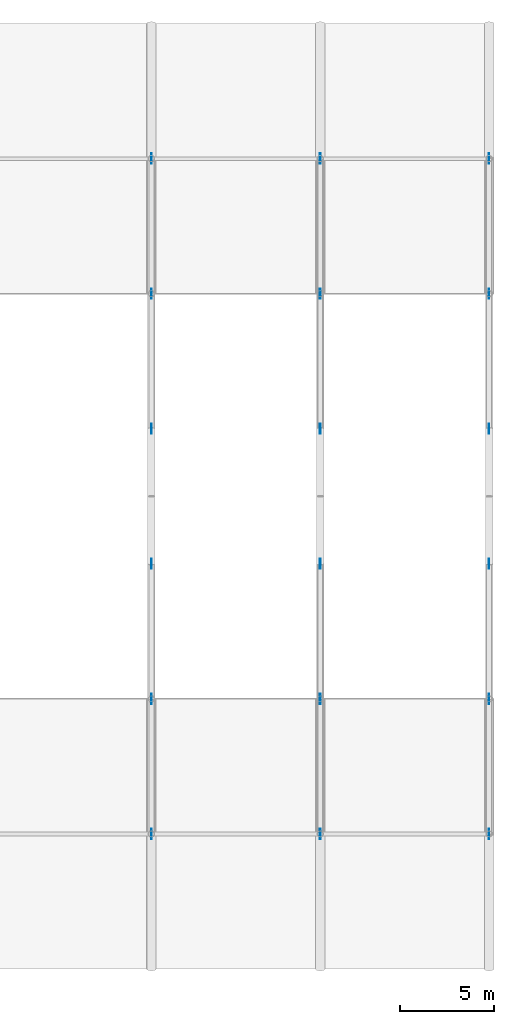
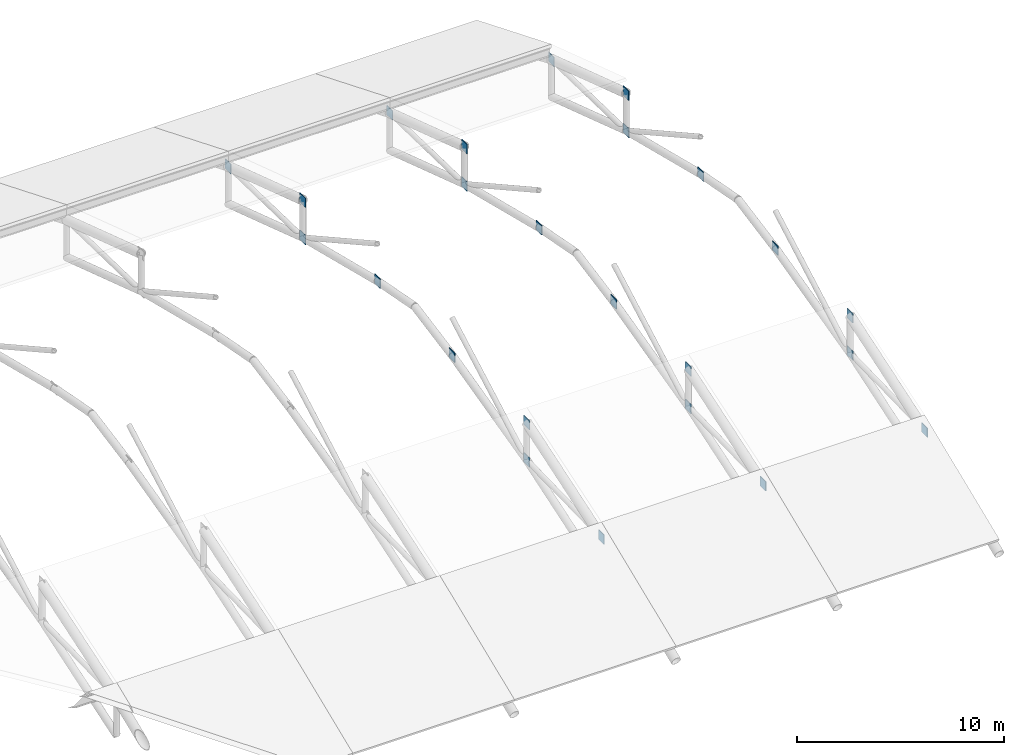
# One storey, part 64 of 78: 24 plates.
"""IFC4 building model written with IfcOpenShell, lengths in metres."""

import ifcopenshell
import ifcopenshell.guid

model = None  # the IFC model being written
_history = None  # IfcOwnerHistory: only IFC2X3 demands one
_inside = {}  # id of a spatial element -> (the spatial element, [elements in it])
_under = {}  # id of a project, library or spatial element -> (it, [spatial elements below it])
_declared = {}  # id of a project -> (the project, [libraries it declares])
_typed = {}  # id of a type object -> (the type object, [elements of that type])
_made_of = {}  # id of a material, layer set ... -> (it, [elements and type objects made of it])


def new_model(schema):
    """Start an empty IFC model of exactly this schema.

    Asked for "IFC4X3", IfcOpenShell would pick the latest addendum, in which some entities
    have other attributes; the version numbers below select the first issue.
    IFC2X3 requires an IfcOwnerHistory on every rooted entity: one is made here for all.
    """
    global model, _history
    if schema == "IFC4X3":
        model = ifcopenshell.file(schema_version=(4, 3, 0, 0))
    else:
        model = ifcopenshell.file(schema=schema)
    _inside.clear()
    _under.clear()
    _declared.clear()
    _typed.clear()
    _made_of.clear()
    _history = None
    if model.schema == "IFC2X3":
        org = make("IfcOrganization", Name="unknown")
        user = make(
            "IfcPersonAndOrganization",
            ThePerson=make("IfcPerson", FamilyName="unknown"),
            TheOrganization=org,
        )
        app = make(
            "IfcApplication",
            ApplicationDeveloper=org,
            Version="unknown",
            ApplicationFullName="unknown",
            ApplicationIdentifier="unknown",
        )
        _history = make(
            "IfcOwnerHistory",
            OwningUser=user,
            OwningApplication=app,
            ChangeAction="ADDED",
            CreationDate=0,
        )
    return model


def make(cls, **values):
    """One entity of the class cls with the attributes given. An attribute that is None is left unset."""
    return model.create_entity(
        cls, **{name: value for name, value in values.items() if value is not None}
    )


def rooted(cls, **values):
    """An entity with a GlobalId (a new one), such as an element, a storey or a relation."""
    return make(cls, GlobalId=ifcopenshell.guid.new(), OwnerHistory=_history, **values)


def si_unit(unit_type, name, prefix=None):
    """IfcSIUnit, for example si_unit("LENGTHUNIT", "METRE", prefix="MILLI")."""
    return make("IfcSIUnit", UnitType=unit_type, Prefix=prefix, Name=name)


def assignment(units):
    """IfcUnitAssignment: the units of a project."""
    return None if units is None else make("IfcUnitAssignment", Units=units)


def point(xyz):
    """IfcCartesianPoint."""
    return None if xyz is None else make("IfcCartesianPoint", Coordinates=xyz)


def direction(xyz):
    """IfcDirection."""
    return None if xyz is None else make("IfcDirection", DirectionRatios=xyz)


def frame(location, z_axis=None, x_axis=None):
    """IfcAxis2Placement3D, a coordinate frame: its origin and axes. An axis left out is left unset."""
    return make(
        "IfcAxis2Placement3D",
        Location=point(location),
        Axis=direction(z_axis),
        RefDirection=direction(x_axis),
    )


def frame_2d(location, x_axis=None):
    """IfcAxis2Placement2D, a coordinate frame in the plane: its origin and x axis."""
    return make(
        "IfcAxis2Placement2D", Location=point(location), RefDirection=direction(x_axis)
    )


def origin():
    """The frame at (0, 0, 0) with its axes left unset."""
    return frame((0.0, 0.0, 0.0))


def origin_2d():
    """The frame at (0, 0) in the plane with its x axis left unset."""
    return frame_2d((0.0, 0.0))


def place(relative_to, where):
    """IfcLocalPlacement: puts the frame where relative to a parent placement (None: the world)."""
    return make(
        "IfcLocalPlacement", PlacementRelTo=relative_to, RelativePlacement=where
    )


def context(
    kind, dimensions, precision=None, world=None, true_north=None, identifier=None
):
    """IfcGeometricRepresentationContext, for example the 3D "Model" context."""
    return make(
        "IfcGeometricRepresentationContext",
        ContextIdentifier=identifier,
        ContextType=kind,
        CoordinateSpaceDimension=dimensions,
        Precision=precision,
        WorldCoordinateSystem=world,
        TrueNorth=true_north,
    )


def subcontext(parent, identifier, kind, view, scale=None):
    """IfcGeometricRepresentationSubContext, for example "Body" below "Model"."""
    return make(
        "IfcGeometricRepresentationSubContext",
        ContextIdentifier=identifier,
        ContextType=kind,
        ParentContext=parent,
        TargetScale=scale,
        TargetView=view,
    )


def project(units=None, contexts=None):
    """IfcProject with its units and contexts."""
    return rooted(
        "IfcProject",
        Name="project",
        RepresentationContexts=contexts,
        UnitsInContext=assignment(units),
    )


def spatial(cls, under=None, at=None, **own):
    """A site, building, storey or space (cls), placed at a placement, below another one or the project."""
    s = rooted(cls, ObjectPlacement=at, **own)
    if under is not None:
        _under.setdefault(under.id(), (under, []))[1].append(s)
    return s


def profile(cls, at=None, kind="AREA", **sizes):
    """A parametric profile (cls). Its sizes go by their IFC names, for example OverallWidth=200.0."""
    return make(cls, ProfileType=kind, Position=at, **sizes)


def rectangle(**sizes):
    """IfcRectangleProfileDef."""
    return profile("IfcRectangleProfileDef", **sizes)


def extrude(swept, where, along, depth):
    """IfcExtrudedAreaSolid: the profile swept, set in the frame where, extruded along a direction by depth."""
    return make(
        "IfcExtrudedAreaSolid",
        SweptArea=swept,
        Position=where,
        ExtrudedDirection=direction(along),
        Depth=depth,
    )


def shape(context_of_items, identifier, shape_type, items):
    """IfcShapeRepresentation: the items that make up one representation, for example the "Body"."""
    return make(
        "IfcShapeRepresentation",
        ContextOfItems=context_of_items,
        RepresentationIdentifier=identifier,
        RepresentationType=shape_type,
        Items=items,
    )


def material(Name=None, Category=None):
    """IfcMaterial."""
    return make("IfcMaterial", Name=Name, Category=Category)


def layer(
    of_material, thickness, ventilated=None, Name=None, Category=None, Priority=None
):
    """IfcMaterialLayer: one layer of a wall or slab, of a material (None: an air gap)."""
    return make(
        "IfcMaterialLayer",
        Material=of_material,
        LayerThickness=thickness,
        IsVentilated=ventilated,
        Name=Name,
        Category=Category,
        Priority=Priority,
    )


def layer_set(layers, Name=None):
    """IfcMaterialLayerSet."""
    return make("IfcMaterialLayerSet", MaterialLayers=layers, LayerSetName=Name)


def made_of(thing, what):
    """Note that an element or type object is made of a material, layer set ...; save() writes the relation."""
    if what is not None:
        _made_of.setdefault(what.id(), (what, []))[1].append(thing)
    return thing


def type_object(cls, material=None, **own):
    """A type object (cls), such as IfcWallType, which elements share."""
    return made_of(rooted(cls, **own), material)


def element(
    cls,
    number,
    at=None,
    inside=None,
    cuts=None,
    type_object=None,
    material=None,
    context=None,
    identifier="Body",
    shape_type=None,
    held_by="IfcProductDefinitionShape",
    body=None,
    shapes=None,
    **own,
):
    """One element of the class cls, such as IfcWall. Its Tag is "e" and its number.

    at: its placement. inside: the storey or other place that contains it. cuts: it is an
    opening in that element (IfcRelVoidsElement). A single representation is given by context,
    identifier, shape_type and body (its items); several are given by shapes. held_by: the class
    of the entity that holds the representations. save() writes the other relations.
    """
    e = rooted(cls, Tag="e%d" % number, ObjectPlacement=at, **own)
    if body is not None:
        shapes = [shape(context, identifier, shape_type, body)]
    if shapes is not None:
        e.Representation = make(held_by, Representations=shapes)
    if inside is not None:
        _inside.setdefault(inside.id(), (inside, []))[1].append(e)
    if cuts is not None:
        rooted(
            "IfcRelVoidsElement", RelatingBuildingElement=cuts, RelatedOpeningElement=e
        )
    if type_object is not None:
        _typed.setdefault(type_object.id(), (type_object, []))[1].append(e)
    return made_of(e, material)


def aggregate(whole, parts):
    """IfcRelAggregates: a whole, such as a stair, and the parts it consists of."""
    return rooted("IfcRelAggregates", RelatingObject=whole, RelatedObjects=parts)


def save(model, path):
    """Write the relations noted so far, then the file.

    IfcRelAggregates (storeys below a building ...), IfcRelContainedInSpatialStructure (elements
    in a storey), IfcRelDefinesByType, IfcRelAssociatesMaterial and IfcRelDeclares: one each for
    every whole, place, type object, material and project.
    """
    for whole, parts in _under.values():
        aggregate(whole, parts)
    for where, things in _inside.values():
        rooted(
            "IfcRelContainedInSpatialStructure",
            RelatedElements=things,
            RelatingStructure=where,
        )
    for kind, things in _typed.values():
        rooted("IfcRelDefinesByType", RelatedObjects=things, RelatingType=kind)
    for what, things in _made_of.values():
        rooted("IfcRelAssociatesMaterial", RelatedObjects=things, RelatingMaterial=what)
    for by, libraries in _declared.values():
        rooted("IfcRelDeclares", RelatingContext=by, RelatedDefinitions=libraries)
    model.write(path)


model = new_model("IFC4")

# Units and contexts
model_context = context("Model", 3, precision=1e-05, world=origin(), true_north=direction((0.0, 1.0)))
body_context = subcontext(model_context, "Body", "Model", "MODEL_VIEW")
ifc_project = project(units=[si_unit("LENGTHUNIT", "METRE"), si_unit("AREAUNIT", "SQUARE_METRE"), si_unit("VOLUMEUNIT", "CUBIC_METRE"), si_unit("PLANEANGLEUNIT", "RADIAN"), si_unit("MASSUNIT", "GRAM", prefix="KILO")], contexts=[model_context])

# Site, building, storey
site_placement = place(None, origin())
site = spatial("IfcSite", under=ifc_project, at=site_placement, CompositionType="ELEMENT")
building_placement = place(site_placement, origin())
building = spatial("IfcBuilding", under=site, at=building_placement, Name="Celestram Park Convention Centre", CompositionType="ELEMENT")
storey_placement = place(building_placement, frame((0.0, 0.0, 19.800048828125)))
storey = spatial("IfcBuildingStorey", under=building, at=storey_placement, Name="L04", CompositionType="ELEMENT", Elevation=19.800048828125)

# Plates
ifc_material = material(Name="Steel ASTM A572 Grade 50", Category="steel")
ifc_layer = layer(ifc_material, 0.0400390625)
ifc_layer_set = layer_set([ifc_layer], Name="Steel ASTM A572 Grade 50")
plate_type = type_object("IfcPlateType", Name="STR-PLT-GP40", PredefinedType="USERDEFINED", material=ifc_layer_set)
for number, where, z_axis, x_axis, name in (
    (1, (198.0, 122.39990234375, 1.78369140625), (0.0, 0.0, 1.0), (0.0, 1.0, 0.0), "V2 truss node gusset plate"),
    (2, (198.0, 129.60009765625, 4.15576171875), (0.0, 0.0, 1.0), (0.0, 1.0, 0.0), "V2 truss node gusset plate"),
    (3, (198.0, 129.60009765625, 1.95556640625), (0.0, 0.0, 1.0), (0.0, 1.0, 0.0), "V2 truss node gusset plate"),
    (4, (198.0, 136.800048828125, 3.75439453125), (0.0, 0.0, 1.0), (0.0, 1.0, 0.0), "V2 truss node gusset plate"),
    (5, (198.0, 144.0, 3.75439453125), (0.0, 0.0, 1.0), (0.0, 1.0, 0.0), "V2 truss node gusset plate"),
    (6, (198.0, 151.199951171875, 4.15576171875), (0.0, 0.0, 1.0), (0.0, 1.0, 0.0), "V2 truss node gusset plate"),
    (7, (198.0, 151.199951171875, 1.95556640625), (0.0, 0.0, 1.0), (0.0, 1.0, 0.0), "V2 truss node gusset plate"),
    (8, (198.0, 158.39990234375, 1.78369140625), (0.0, 0.0, 1.0), (0.0, 1.0, 0.0), "V2 truss node gusset plate"),
    (9, (207.0, 122.39990234375, 1.78369140625), (0.0, 0.0, 1.0), (0.0, 1.0, 0.0), "V2 truss node gusset plate"),
    (10, (207.0, 129.60009765625, 4.15576171875), (0.0, 0.0, 1.0), (0.0, 1.0, 0.0), "V2 truss node gusset plate"),
    (11, (207.0, 129.60009765625, 1.95556640625), (0.0, 0.0, 1.0), (0.0, 1.0, 0.0), "V2 truss node gusset plate"),
    (12, (207.0, 136.800048828125, 3.75439453125), (0.0, 0.0, 1.0), (0.0, 1.0, 0.0), "V2 truss node gusset plate"),
    (13, (207.0, 144.0, 3.75439453125), (0.0, 0.0, 1.0), (0.0, 1.0, 0.0), "V2 truss node gusset plate"),
    (14, (207.0, 151.199951171875, 4.15576171875), (0.0, 0.0, 1.0), (0.0, 1.0, 0.0), "V2 truss node gusset plate"),
    (15, (207.0, 151.199951171875, 1.95556640625), (0.0, 0.0, 1.0), (0.0, 1.0, 0.0), "V2 truss node gusset plate"),
    (16, (207.0, 158.39990234375, 1.78369140625), (0.0, 0.0, 1.0), (0.0, 1.0, 0.0), "V2 truss node gusset plate"),
    (17, (216.0, 122.39990234375, 1.78369140625), (0.0, 0.0, 1.0), (0.0, 1.0, 0.0), "V2 truss node gusset plate"),
    (18, (216.0, 129.60009765625, 4.15576171875), (0.0, 0.0, 1.0), (0.0, 1.0, 0.0), "V2 truss node gusset plate"),
    (19, (216.0, 129.60009765625, 1.95556640625), (0.0, 0.0, 1.0), (0.0, 1.0, 0.0), "V2 truss node gusset plate"),
    (20, (216.0, 136.800048828125, 3.75439453125), (0.0, 0.0, 1.0), (0.0, 1.0, 0.0), "V2 truss node gusset plate"),
    (21, (216.0, 144.0, 3.75439453125), (0.0, 0.0, 1.0), (0.0, 1.0, 0.0), "V2 truss node gusset plate"),
    (22, (216.0, 151.199951171875, 4.15576171875), (0.0, 0.0, 1.0), (0.0, 1.0, 0.0), "V2 truss node gusset plate"),
    (23, (216.0, 151.199951171875, 1.95556640625), (0.0, 0.0, 1.0), (0.0, 1.0, 0.0), "V2 truss node gusset plate"),
    (24, (216.0, 158.39990234375, 1.78369140625), (0.0, 0.0, 1.0), (0.0, 1.0, 0.0), "V2 truss node gusset plate"),
):
    element("IfcPlate", number, at=place(storey_placement, frame(where, z_axis=z_axis, x_axis=x_axis)), inside=storey, type_object=plate_type, Name=name, ObjectType="GUSSET_PLATE", PredefinedType="USERDEFINED", context=body_context, shape_type="SweptSolid", body=[
        extrude(rectangle(XDim=0.550048828125, YDim=0.0400390625, at=origin_2d()), origin(), (0.0, 0.0, 1.0), 0.550048828125),
    ])

save(model, "model.ifc")
